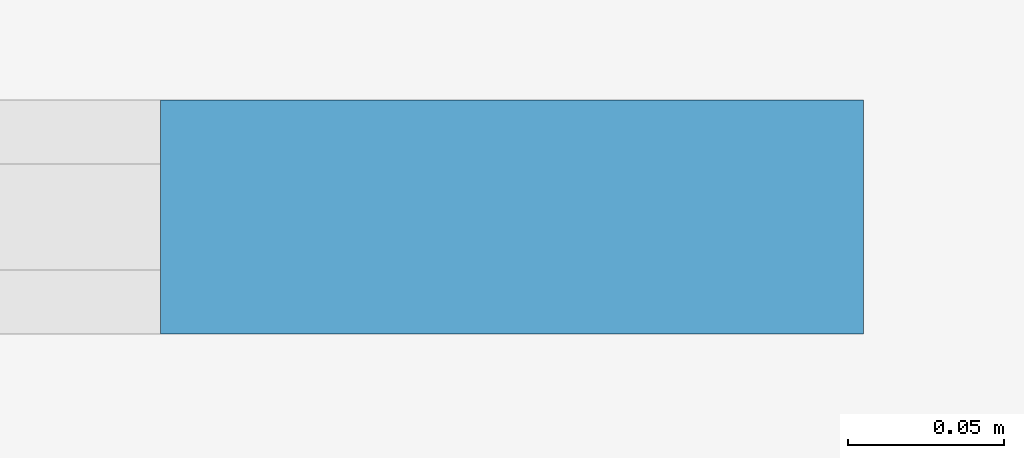
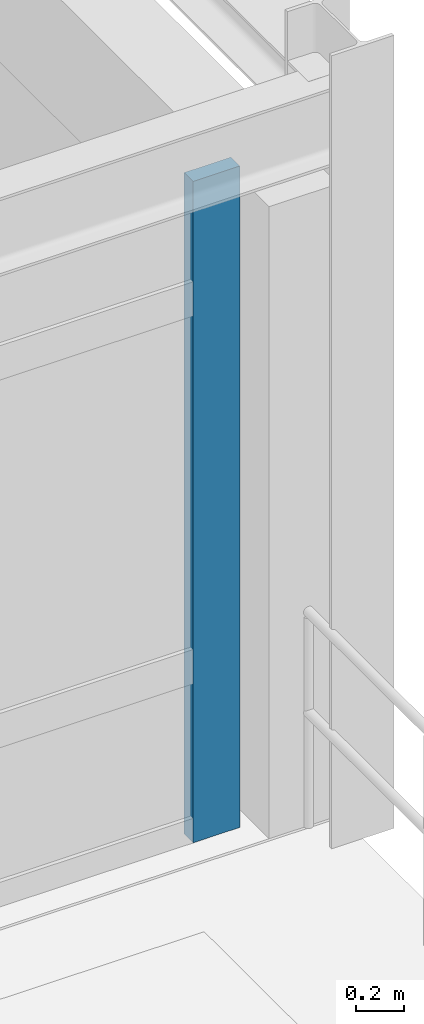
# One storey, part 29 of 58: 1 member, 1 element without a shape of its own.
"""IFC4 building model written with IfcOpenShell, lengths in metres."""

import ifcopenshell
import ifcopenshell.guid

model = None  # the IFC model being written
_history = None  # IfcOwnerHistory: only IFC2X3 demands one
_inside = {}  # id of a spatial element -> (the spatial element, [elements in it])
_under = {}  # id of a project, library or spatial element -> (it, [spatial elements below it])
_declared = {}  # id of a project -> (the project, [libraries it declares])
_typed = {}  # id of a type object -> (the type object, [elements of that type])
_made_of = {}  # id of a material, layer set ... -> (it, [elements and type objects made of it])


def new_model(schema):
    """Start an empty IFC model of exactly this schema.

    Asked for "IFC4X3", IfcOpenShell would pick the latest addendum, in which some entities
    have other attributes; the version numbers below select the first issue.
    IFC2X3 requires an IfcOwnerHistory on every rooted entity: one is made here for all.
    """
    global model, _history
    if schema == "IFC4X3":
        model = ifcopenshell.file(schema_version=(4, 3, 0, 0))
    else:
        model = ifcopenshell.file(schema=schema)
    _inside.clear()
    _under.clear()
    _declared.clear()
    _typed.clear()
    _made_of.clear()
    _history = None
    if model.schema == "IFC2X3":
        org = make("IfcOrganization", Name="unknown")
        user = make(
            "IfcPersonAndOrganization",
            ThePerson=make("IfcPerson", FamilyName="unknown"),
            TheOrganization=org,
        )
        app = make(
            "IfcApplication",
            ApplicationDeveloper=org,
            Version="unknown",
            ApplicationFullName="unknown",
            ApplicationIdentifier="unknown",
        )
        _history = make(
            "IfcOwnerHistory",
            OwningUser=user,
            OwningApplication=app,
            ChangeAction="ADDED",
            CreationDate=0,
        )
    return model


def make(cls, **values):
    """One entity of the class cls with the attributes given. An attribute that is None is left unset."""
    return model.create_entity(
        cls, **{name: value for name, value in values.items() if value is not None}
    )


def rooted(cls, **values):
    """An entity with a GlobalId (a new one), such as an element, a storey or a relation."""
    return make(cls, GlobalId=ifcopenshell.guid.new(), OwnerHistory=_history, **values)


def si_unit(unit_type, name, prefix=None):
    """IfcSIUnit, for example si_unit("LENGTHUNIT", "METRE", prefix="MILLI")."""
    return make("IfcSIUnit", UnitType=unit_type, Prefix=prefix, Name=name)


def derived_unit(unit_type, elements):
    """IfcDerivedUnit: a product of units, each with its exponent."""
    return make(
        "IfcDerivedUnit",
        Elements=[
            make("IfcDerivedUnitElement", Unit=unit, Exponent=power)
            for unit, power in elements
        ],
        UnitType=unit_type,
    )


def assignment(units):
    """IfcUnitAssignment: the units of a project."""
    return None if units is None else make("IfcUnitAssignment", Units=units)


def point(xyz):
    """IfcCartesianPoint."""
    return None if xyz is None else make("IfcCartesianPoint", Coordinates=xyz)


def direction(xyz):
    """IfcDirection."""
    return None if xyz is None else make("IfcDirection", DirectionRatios=xyz)


def frame(location, z_axis=None, x_axis=None):
    """IfcAxis2Placement3D, a coordinate frame: its origin and axes. An axis left out is left unset."""
    return make(
        "IfcAxis2Placement3D",
        Location=point(location),
        Axis=direction(z_axis),
        RefDirection=direction(x_axis),
    )


def frame_2d(location, x_axis=None):
    """IfcAxis2Placement2D, a coordinate frame in the plane: its origin and x axis."""
    return make(
        "IfcAxis2Placement2D", Location=point(location), RefDirection=direction(x_axis)
    )


def origin():
    """The frame at (0, 0, 0) with its axes left unset."""
    return frame((0.0, 0.0, 0.0))


def origin_2d():
    """The frame at (0, 0) in the plane with its x axis left unset."""
    return frame_2d((0.0, 0.0))


def place(relative_to, where):
    """IfcLocalPlacement: puts the frame where relative to a parent placement (None: the world)."""
    return make(
        "IfcLocalPlacement", PlacementRelTo=relative_to, RelativePlacement=where
    )


def context(
    kind, dimensions, precision=None, world=None, true_north=None, identifier=None
):
    """IfcGeometricRepresentationContext, for example the 3D "Model" context."""
    return make(
        "IfcGeometricRepresentationContext",
        ContextIdentifier=identifier,
        ContextType=kind,
        CoordinateSpaceDimension=dimensions,
        Precision=precision,
        WorldCoordinateSystem=world,
        TrueNorth=true_north,
    )


def subcontext(parent, identifier, kind, view, scale=None):
    """IfcGeometricRepresentationSubContext, for example "Body" below "Model"."""
    return make(
        "IfcGeometricRepresentationSubContext",
        ContextIdentifier=identifier,
        ContextType=kind,
        ParentContext=parent,
        TargetScale=scale,
        TargetView=view,
    )


def project(units=None, contexts=None):
    """IfcProject with its units and contexts."""
    return rooted(
        "IfcProject",
        Name="project",
        RepresentationContexts=contexts,
        UnitsInContext=assignment(units),
    )


def spatial(cls, under=None, at=None, **own):
    """A site, building, storey or space (cls), placed at a placement, below another one or the project."""
    s = rooted(cls, ObjectPlacement=at, **own)
    if under is not None:
        _under.setdefault(under.id(), (under, []))[1].append(s)
    return s


def profile(cls, at=None, kind="AREA", **sizes):
    """A parametric profile (cls). Its sizes go by their IFC names, for example OverallWidth=200.0."""
    return make(cls, ProfileType=kind, Position=at, **sizes)


def rectangle(**sizes):
    """IfcRectangleProfileDef."""
    return profile("IfcRectangleProfileDef", **sizes)


def extrude(swept, where, along, depth):
    """IfcExtrudedAreaSolid: the profile swept, set in the frame where, extruded along a direction by depth."""
    return make(
        "IfcExtrudedAreaSolid",
        SweptArea=swept,
        Position=where,
        ExtrudedDirection=direction(along),
        Depth=depth,
    )


def shape(context_of_items, identifier, shape_type, items):
    """IfcShapeRepresentation: the items that make up one representation, for example the "Body"."""
    return make(
        "IfcShapeRepresentation",
        ContextOfItems=context_of_items,
        RepresentationIdentifier=identifier,
        RepresentationType=shape_type,
        Items=items,
    )


def material(Name=None, Category=None):
    """IfcMaterial."""
    return make("IfcMaterial", Name=Name, Category=Category)


def layer(
    of_material, thickness, ventilated=None, Name=None, Category=None, Priority=None
):
    """IfcMaterialLayer: one layer of a wall or slab, of a material (None: an air gap)."""
    return make(
        "IfcMaterialLayer",
        Material=of_material,
        LayerThickness=thickness,
        IsVentilated=ventilated,
        Name=Name,
        Category=Category,
        Priority=Priority,
    )


def layer_set(layers, Name=None):
    """IfcMaterialLayerSet."""
    return make("IfcMaterialLayerSet", MaterialLayers=layers, LayerSetName=Name)


def material_profile(
    of_material, cross_section, Name=None, Category=None, Priority=None
):
    """IfcMaterialProfile: a cross section and its material."""
    return make(
        "IfcMaterialProfile",
        Name=Name,
        Material=of_material,
        Profile=cross_section,
        Priority=Priority,
        Category=Category,
    )


def profile_set(profiles, Name=None, composite=None):
    """IfcMaterialProfileSet."""
    return make(
        "IfcMaterialProfileSet",
        Name=Name,
        MaterialProfiles=profiles,
        CompositeProfile=composite,
    )


def made_of(thing, what):
    """Note that an element or type object is made of a material, layer set ...; save() writes the relation."""
    if what is not None:
        _made_of.setdefault(what.id(), (what, []))[1].append(thing)
    return thing


def type_object(cls, material=None, **own):
    """A type object (cls), such as IfcWallType, which elements share."""
    return made_of(rooted(cls, **own), material)


def element(
    cls,
    number,
    at=None,
    inside=None,
    cuts=None,
    type_object=None,
    material=None,
    context=None,
    identifier="Body",
    shape_type=None,
    held_by="IfcProductDefinitionShape",
    body=None,
    shapes=None,
    **own,
):
    """One element of the class cls, such as IfcWall. Its Tag is "e" and its number.

    at: its placement. inside: the storey or other place that contains it. cuts: it is an
    opening in that element (IfcRelVoidsElement). A single representation is given by context,
    identifier, shape_type and body (its items); several are given by shapes. held_by: the class
    of the entity that holds the representations. save() writes the other relations.
    """
    e = rooted(cls, Tag="e%d" % number, ObjectPlacement=at, **own)
    if body is not None:
        shapes = [shape(context, identifier, shape_type, body)]
    if shapes is not None:
        e.Representation = make(held_by, Representations=shapes)
    if inside is not None:
        _inside.setdefault(inside.id(), (inside, []))[1].append(e)
    if cuts is not None:
        rooted(
            "IfcRelVoidsElement", RelatingBuildingElement=cuts, RelatedOpeningElement=e
        )
    if type_object is not None:
        _typed.setdefault(type_object.id(), (type_object, []))[1].append(e)
    return made_of(e, material)


def aggregate(whole, parts):
    """IfcRelAggregates: a whole, such as a stair, and the parts it consists of."""
    return rooted("IfcRelAggregates", RelatingObject=whole, RelatedObjects=parts)


def save(model, path):
    """Write the relations noted so far, then the file.

    IfcRelAggregates (storeys below a building ...), IfcRelContainedInSpatialStructure (elements
    in a storey), IfcRelDefinesByType, IfcRelAssociatesMaterial and IfcRelDeclares: one each for
    every whole, place, type object, material and project.
    """
    for whole, parts in _under.values():
        aggregate(whole, parts)
    for where, things in _inside.values():
        rooted(
            "IfcRelContainedInSpatialStructure",
            RelatedElements=things,
            RelatingStructure=where,
        )
    for kind, things in _typed.values():
        rooted("IfcRelDefinesByType", RelatedObjects=things, RelatingType=kind)
    for what, things in _made_of.values():
        rooted("IfcRelAssociatesMaterial", RelatedObjects=things, RelatingMaterial=what)
    for by, libraries in _declared.values():
        rooted("IfcRelDeclares", RelatingContext=by, RelatedDefinitions=libraries)
    model.write(path)


model = new_model("IFC4")

# Units and contexts
model_context = context("Model", 3, precision=1e-05, world=origin(), true_north=direction((0.0, 1.0)))
body_context = subcontext(model_context, "Body", "Model", "MODEL_VIEW")
ifc_project = project(units=[si_unit("LENGTHUNIT", "METRE"), si_unit("AREAUNIT", "SQUARE_METRE"), si_unit("VOLUMEUNIT", "CUBIC_METRE"), si_unit("PLANEANGLEUNIT", "RADIAN"), si_unit("MASSUNIT", "GRAM", prefix="KILO"), derived_unit("THERMALTRANSMITTANCEUNIT", [(si_unit("POWERUNIT", "WATT"), 1), (si_unit("AREAUNIT", "SQUARE_METRE"), -1), (si_unit("THERMODYNAMICTEMPERATUREUNIT", "KELVIN"), -1)])], contexts=[model_context])

# Site, building, storey
site_placement = place(None, origin())
site = spatial("IfcSite", under=ifc_project, at=site_placement, CompositionType="ELEMENT")
building_placement = place(site_placement, origin())
building = spatial("IfcBuilding", under=site, at=building_placement, Name="Yasenodar Specialist Clinic", CompositionType="ELEMENT")
storey_placement = place(building_placement, frame((0.0, 0.0, 21.300048828125)))
storey = spatial("IfcBuildingStorey", under=building, at=storey_placement, Name="L05", CompositionType="ELEMENT", Elevation=21.300048828125)

# Curtain wall, member
ifc_material_1 = material(Name="Bronze Anodized Aluminium and Triple Low-E Glass", Category="aluminium")
ifc_layer = layer(ifc_material_1, 0.215087890625)
ifc_layer_set = layer_set([ifc_layer], Name="Bronze Anodized Aluminium and Triple Low-E Glass")
curtain_wall_type = type_object("IfcCurtainWallType", Name="CW-SYS-05", PredefinedType="USERDEFINED", material=ifc_layer_set)
curtain_wall_placement = place(storey_placement, origin())
curtain_wall = element("IfcCurtainWall", 1, at=curtain_wall_placement, inside=storey, type_object=curtain_wall_type, Name="L05 Unitised Curtain Wall 165", ObjectType="UNITISED CURTAIN WALL", PredefinedType="USERDEFINED")
ifc_material_2 = material(Name="Bronze Anodized Aluminium", Category="aluminium")
ifc_material_profile = material_profile(ifc_material_2, rectangle(XDim=0.074951171875, YDim=0.22509765625, at=origin_2d()), Name="CW-MULL 75x225")
ifc_profile_set = profile_set([ifc_material_profile], Name="Bronze Anodized Aluminium")
member_type = type_object("IfcMemberType", Name="CW-MULL-225", PredefinedType="MULLION", material=ifc_profile_set)
member_placement = place(storey_placement, frame((121.282470703125, 97.3701171875, 0.0), z_axis=(0.0, 0.0, 1.0), x_axis=(0.0, -1.0, 0.0)))
member = element("IfcMember", 2, at=member_placement, type_object=member_type, Name="CW-05 mullion 1", PredefinedType="MULLION", context=body_context, shape_type="SweptSolid", body=[
    extrude(rectangle(XDim=0.074951171875, YDim=0.22509765625, at=origin_2d()), origin(), (0.0, 0.0, 1.0), 3.3779296875),
])
aggregate(curtain_wall, [member])

save(model, "model.ifc")
